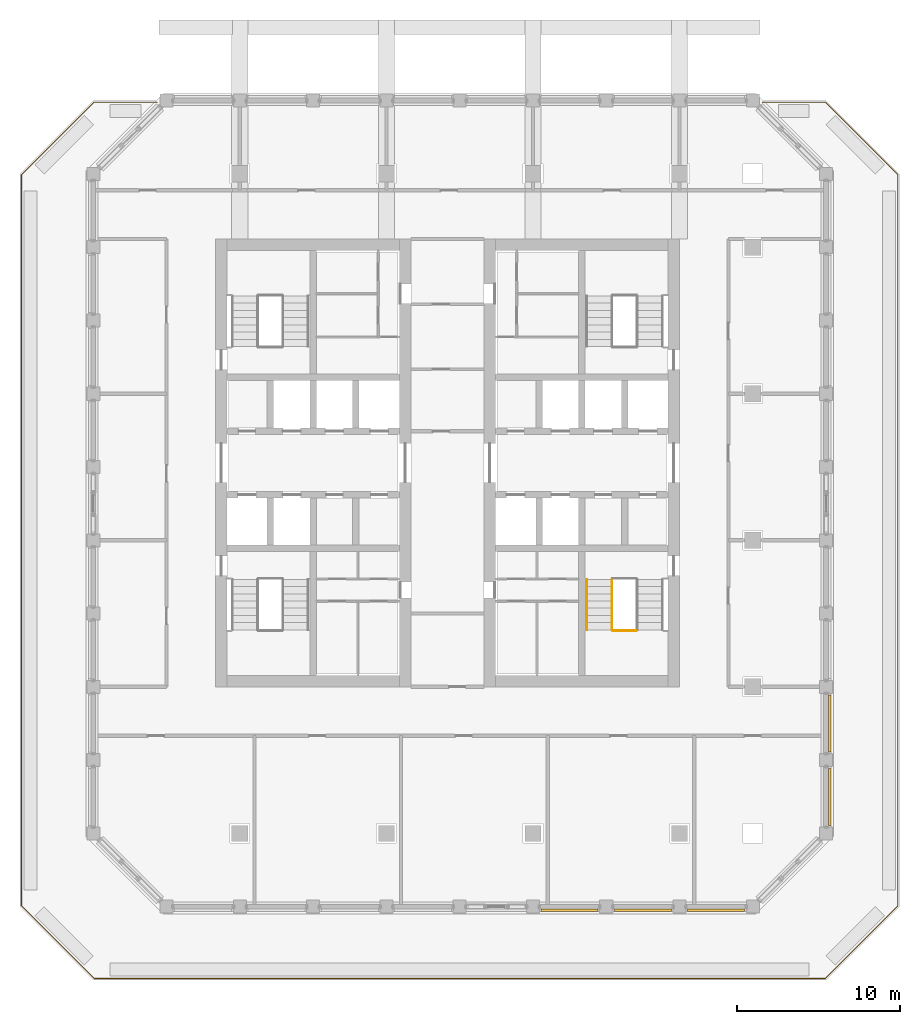
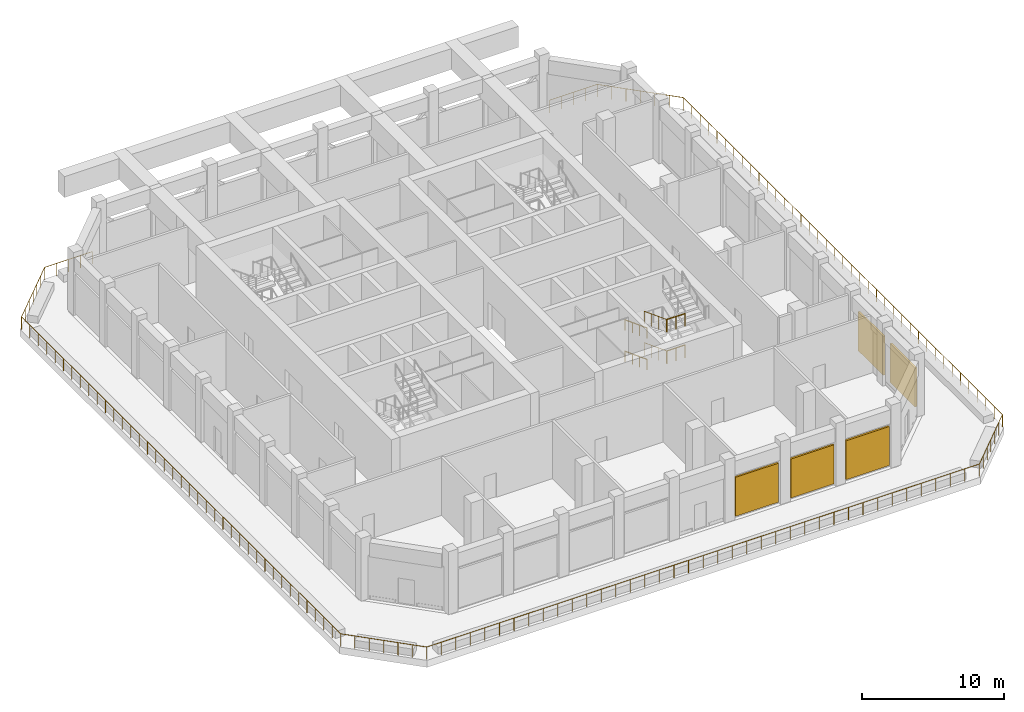
# One storey, part 15 of 19: 7 railings, 5 shading devices.
"""IFC4 building model written with IfcOpenShell, lengths in metres."""

from ifc_helpers import new_model, si_unit, direction, frame, origin, origin_2d, place, context, subcontext, project, spatial, rectangle, circle, extrude, material, layer, layer_set, type_object, element, save


model = new_model("IFC4")

# Units and contexts
model_context = context("Model", 3, precision=1e-05, world=origin(), true_north=direction((0.0, 1.0)))
body_context = subcontext(model_context, "Body", "Model", "MODEL_VIEW")
ifc_project = project(units=[si_unit("LENGTHUNIT", "METRE"), si_unit("AREAUNIT", "SQUARE_METRE"), si_unit("VOLUMEUNIT", "CUBIC_METRE"), si_unit("PLANEANGLEUNIT", "RADIAN"), si_unit("MASSUNIT", "GRAM", prefix="KILO")], contexts=[model_context])

# Site, building, storey
site_placement = place(None, origin())
site = spatial("IfcSite", under=ifc_project, at=site_placement, CompositionType="ELEMENT")
building_placement = place(site_placement, origin())
building = spatial("IfcBuilding", under=site, at=building_placement, Name="Corbel Stack Research Tower", CompositionType="ELEMENT")
storey_placement = place(building_placement, frame((0.0, 0.0, 226.199951171875)))
storey = spatial("IfcBuildingStorey", under=building, at=storey_placement, Name="L51", CompositionType="ELEMENT", Elevation=226.199951171875)

# Shading devices
ifc_material_1 = material(Name="Aluminium louvre", Category="aluminium")
ifc_layer = layer(ifc_material_1, 0.14990234375)
ifc_layer_set = layer_set([ifc_layer], Name="Aluminium louvre")
shading_device_type = type_object("IfcShadingDeviceType", Name="Plant louvre 150", PredefinedType="USERDEFINED", material=ifc_layer_set)
for number, where, z_axis, x_axis, name in (
    (1, (11.25, -22.72509765625, 0.199951171875), (0.0, 0.0, 1.0), (1.0, 0.0, 0.0), "Plant louvre L51 S06"),
    (2, (15.75, -22.72509765625, 0.199951171875), (0.0, 0.0, 1.0), (1.0, 0.0, 0.0), "Plant louvre L51 S07"),
    (3, (20.25, -22.72509765625, 0.199951171875), (0.0, 0.0, 1.0), (1.0, 0.0, 0.0), "Plant louvre L51 S08"),
    (4, (27.22509765625, -15.75, 0.199951171875), (0.0, 0.0, 1.0), (0.0, 1.0, 0.0), "Plant louvre L51 E01"),
    (5, (27.22509765625, -11.25, 0.199951171875), (0.0, 0.0, 1.0), (0.0, 1.0, 0.0), "Plant louvre L51 E02"),
):
    element("IfcShadingDevice", number, at=place(storey_placement, frame(where, z_axis=z_axis, x_axis=x_axis)), inside=storey, type_object=shading_device_type, Name=name, ObjectType="LOUVRE", PredefinedType="USERDEFINED", context=body_context, shape_type="SweptSolid", body=[
        extrude(rectangle(XDim=3.5, YDim=0.14990234375, at=origin_2d()), origin(), (0.0, 0.0, 1.0), 3.35009765625),
    ])

# Railings
ifc_material_2 = material(Name="Steel S355", Category="steel")
railing_type_1 = type_object("IfcRailingType", Name="Stair guard 1100", PredefinedType="GUARDRAIL", material=ifc_material_2)
railing_1_placement = place(storey_placement, frame((13.85009765625, -2.39990234375, 0.168701171875)))
element("IfcRailing", 6, at=railing_1_placement, inside=storey, type_object=railing_type_1, Name="L51 ST-E1 stair guard 1", PredefinedType="GUARDRAIL", context=body_context, shape_type="SweptSolid", body=[
    extrude(circle(Radius=0.02392578125, at=origin_2d()), frame((0.0, 0.0, 1.076171875), z_axis=(0.0, -0.934484238495, 0.356004505596), x_axis=(1.0, 0.0, 0.0)), (0.0, 0.0, 1.0), 3.318603515625),
    extrude(circle(Radius=0.02099609375, at=origin_2d()), origin(), (0.0, 0.0, 1.0), 1.052001953125),
    extrude(circle(Radius=0.02099609375, at=origin_2d()), frame((0.0, -1.03369140625, 0.393798828125)), (0.0, 0.0, 1.0), 1.052001953125),
    extrude(circle(Radius=0.02099609375, at=origin_2d()), frame((0.0, -2.0673828125, 0.78759765625)), (0.0, 0.0, 1.0), 1.052001953125),
    extrude(circle(Radius=0.02099609375, at=origin_2d()), frame((0.0, -3.10107421875, 1.181396484375)), (0.0, 0.0, 1.0), 1.052001953125),
])
railing_2_placement = place(storey_placement, frame((13.89990234375, -5.551025390625, 1.35009765625)))
element("IfcRailing", 7, at=railing_2_placement, inside=storey, type_object=railing_type_1, Name="L51 ST-E1 stair guard 2", PredefinedType="GUARDRAIL", context=body_context, shape_type="SweptSolid", body=[
    extrude(circle(Radius=0.02392578125, at=origin_2d()), frame((0.0, 0.0, 1.076171875), z_axis=(1.0, 0.0, 0.0), x_axis=(0.0, 1.0, 0.0)), (0.0, 0.0, 1.0), 1.4501953125),
    extrude(circle(Radius=0.02099609375, at=origin_2d()), origin(), (0.0, 0.0, 1.0), 1.052001953125),
    extrude(circle(Radius=0.02099609375, at=origin_2d()), frame((0.72509765625, 0.0, 0.0)), (0.0, 0.0, 1.0), 1.052001953125),
    extrude(circle(Radius=0.02099609375, at=origin_2d()), frame((1.4501953125, 0.0, 0.0)), (0.0, 0.0, 1.0), 1.052001953125),
])
railing_3_placement = place(storey_placement, frame((13.85009765625, -2.39990234375, 2.868896484375)))
element("IfcRailing", 8, at=railing_3_placement, inside=storey, type_object=railing_type_1, Name="L51 ST-E1 stair guard 7", PredefinedType="GUARDRAIL", context=body_context, shape_type="SweptSolid", body=[
    extrude(circle(Radius=0.02392578125, at=origin_2d()), frame((0.0, 0.0, 1.076171875), z_axis=(0.0, -0.934508712189, 0.355940257406), x_axis=(1.0, 0.0, 0.0)), (0.0, 0.0, 1.0), 3.318359375),
    extrude(circle(Radius=0.02099609375, at=origin_2d()), origin(), (0.0, 0.0, 1.0), 1.052001953125),
    extrude(circle(Radius=0.02099609375, at=origin_2d()), frame((0.0, -1.03369140625, 0.393798828125)), (0.0, 0.0, 1.0), 1.052001953125),
    extrude(circle(Radius=0.02099609375, at=origin_2d()), frame((0.0, -2.0673828125, 0.787353515625)), (0.0, 0.0, 1.0), 1.052001953125),
    extrude(circle(Radius=0.02099609375, at=origin_2d()), frame((0.0, -3.10107421875, 1.18115234375)), (0.0, 0.0, 1.0), 1.052001953125),
])
railing_4_placement = place(storey_placement, frame((13.89990234375, -5.551025390625, 4.050048828125)))
element("IfcRailing", 9, at=railing_4_placement, inside=storey, type_object=railing_type_1, Name="L51 ST-E1 stair guard 8", PredefinedType="GUARDRAIL", context=body_context, shape_type="SweptSolid", body=[
    extrude(circle(Radius=0.02392578125, at=origin_2d()), frame((0.0, 0.0, 1.076171875), z_axis=(1.0, 0.0, 0.0), x_axis=(0.0, 1.0, 0.0)), (0.0, 0.0, 1.0), 1.4501953125),
    extrude(circle(Radius=0.02099609375, at=origin_2d()), origin(), (0.0, 0.0, 1.0), 1.052001953125),
    extrude(circle(Radius=0.02099609375, at=origin_2d()), frame((0.72509765625, 0.0, 0.0)), (0.0, 0.0, 1.0), 1.052001953125),
    extrude(circle(Radius=0.02099609375, at=origin_2d()), frame((1.4501953125, 0.0, 0.0)), (0.0, 0.0, 1.0), 1.052001953125),
])
ifc_material_3 = material(Name="Steel S355", Category="steel")
railing_type_2 = type_object("IfcRailingType", Name="Stair handrail 900", PredefinedType="HANDRAIL", material=ifc_material_3)
railing_5_placement = place(storey_placement, frame((12.300048828125, -2.39990234375, 0.168701171875)))
element("IfcRailing", 10, at=railing_5_placement, inside=storey, type_object=railing_type_2, Name="L51 ST-E1 stair handrail 1", PredefinedType="HANDRAIL", context=body_context, shape_type="SweptSolid", body=[
    extrude(circle(Radius=0.02392578125, at=origin_2d()), frame((0.0, 0.0, 0.8759765625), z_axis=(0.0, -0.934484238495, 0.356004505596), x_axis=(1.0, 0.0, 0.0)), (0.0, 0.0, 1.0), 3.318603515625),
    extrude(circle(Radius=0.02099609375, at=origin_2d()), origin(), (0.0, 0.0, 1.0), 0.851806640625),
    extrude(circle(Radius=0.02099609375, at=origin_2d()), frame((0.0, -1.03369140625, 0.393798828125)), (0.0, 0.0, 1.0), 0.851806640625),
    extrude(circle(Radius=0.02099609375, at=origin_2d()), frame((0.0, -2.0673828125, 0.78759765625)), (0.0, 0.0, 1.0), 0.851806640625),
    extrude(circle(Radius=0.02099609375, at=origin_2d()), frame((0.0, -3.10107421875, 1.181396484375)), (0.0, 0.0, 1.0), 0.851806640625),
])
railing_6_placement = place(storey_placement, frame((12.300048828125, -2.39990234375, 2.868896484375)))
element("IfcRailing", 11, at=railing_6_placement, inside=storey, type_object=railing_type_2, Name="L51 ST-E1 stair handrail 3", PredefinedType="HANDRAIL", context=body_context, shape_type="SweptSolid", body=[
    extrude(circle(Radius=0.02392578125, at=origin_2d()), frame((0.0, 0.0, 0.8759765625), z_axis=(0.0, -0.934508712189, 0.355940257406), x_axis=(1.0, 0.0, 0.0)), (0.0, 0.0, 1.0), 3.318359375),
    extrude(circle(Radius=0.02099609375, at=origin_2d()), origin(), (0.0, 0.0, 1.0), 0.851806640625),
    extrude(circle(Radius=0.02099609375, at=origin_2d()), frame((0.0, -1.03369140625, 0.393798828125)), (0.0, 0.0, 1.0), 0.851806640625),
    extrude(circle(Radius=0.02099609375, at=origin_2d()), frame((0.0, -2.0673828125, 0.787353515625)), (0.0, 0.0, 1.0), 0.851806640625),
    extrude(circle(Radius=0.02099609375, at=origin_2d()), frame((0.0, -3.10107421875, 1.18115234375)), (0.0, 0.0, 1.0), 0.851806640625),
])
ifc_material_4 = material(Name="Powder-coated steel guard", Category="steel")
railing_type_3 = type_object("IfcRailingType", Name="Steel and glass guard 1100", PredefinedType="GUARDRAIL", material=ifc_material_4)
railing_7_placement = place(storey_placement, frame((23.07421875, 26.89990234375, 0.0)))
element("IfcRailing", 12, at=railing_7_placement, inside=storey, type_object=railing_type_3, Name="Terrace guard L51", PredefinedType="GUARDRAIL", context=body_context, shape_type="SweptSolid", body=[
    extrude(circle(Radius=0.02392578125, at=origin_2d()), frame((0.0, 0.0, 1.076171875), z_axis=(1.0, 0.0, 0.0), x_axis=(0.0, 1.0, 0.0)), (0.0, 0.0, 1.0), 3.88427734375),
    extrude(circle(Radius=0.02392578125, at=origin_2d()), frame((3.88427734375, 0.0, 1.076171875), z_axis=(0.707106781187, -0.707106781187, 0.0), x_axis=(0.707106781187, 0.707106781187, 0.0)), (0.0, 0.0, 1.0), 6.281005859375),
    extrude(circle(Radius=0.02392578125, at=origin_2d()), frame((8.32568359375, -4.44140625, 1.076171875), z_axis=(0.0, -1.0, 0.0), x_axis=(1.0, 0.0, 0.0)), (0.0, 0.0, 1.0), 44.9169921875),
    extrude(circle(Radius=0.02392578125, at=origin_2d()), frame((8.32568359375, -49.3583984375, 1.076171875), z_axis=(-0.707106781187, -0.707106781187, 0.0), x_axis=(0.707106781187, -0.707106781187, 0.0)), (0.0, 0.0, 1.0), 6.281005859375),
    extrude(circle(Radius=0.02392578125, at=origin_2d()), frame((3.88427734375, -53.7998046875, 1.076171875), z_axis=(-1.0, 0.0, 0.0), x_axis=(0.0, -1.0, 0.0)), (0.0, 0.0, 1.0), 44.9169921875),
    extrude(circle(Radius=0.02392578125, at=origin_2d()), frame((-41.03271484375, -53.7998046875, 1.076171875), z_axis=(-0.707106781187, 0.707106781187, 0.0), x_axis=(-0.707106781187, -0.707106781187, 0.0)), (0.0, 0.0, 1.0), 6.281005859375),
    extrude(circle(Radius=0.02392578125, at=origin_2d()), frame((-45.47412109375, -49.3583984375, 1.076171875), z_axis=(0.0, 1.0, 0.0), x_axis=(-1.0, 0.0, 0.0)), (0.0, 0.0, 1.0), 44.9169921875),
    extrude(circle(Radius=0.02392578125, at=origin_2d()), frame((-45.47412109375, -4.44140625, 1.076171875), z_axis=(0.707106781187, 0.707106781187, 0.0), x_axis=(-0.707106781187, 0.707106781187, 0.0)), (0.0, 0.0, 1.0), 6.281005859375),
    extrude(circle(Radius=0.02392578125, at=origin_2d()), frame((-41.03271484375, 0.0, 1.076171875), z_axis=(1.0, 0.0, 0.0), x_axis=(0.0, 1.0, 0.0)), (0.0, 0.0, 1.0), 3.88427734375),
    extrude(circle(Radius=0.02099609375, at=origin_2d()), origin(), (0.0, 0.0, 1.0), 1.052001953125),
    extrude(circle(Radius=0.02099609375, at=origin_2d()), frame((0.97119140625, 0.0, 0.0)), (0.0, 0.0, 1.0), 1.052001953125),
    extrude(circle(Radius=0.02099609375, at=origin_2d()), frame((1.942138671875, 0.0, 0.0)), (0.0, 0.0, 1.0), 1.052001953125),
    extrude(circle(Radius=0.02099609375, at=origin_2d()), frame((2.9130859375, 0.0, 0.0)), (0.0, 0.0, 1.0), 1.052001953125),
    extrude(circle(Radius=0.02099609375, at=origin_2d()), frame((3.88427734375, 0.0, 0.0)), (0.0, 0.0, 1.0), 1.052001953125),
    extrude(circle(Radius=0.02099609375, at=origin_2d()), frame((4.62451171875, -0.740234375, 0.0)), (0.0, 0.0, 1.0), 1.052001953125),
    extrude(circle(Radius=0.02099609375, at=origin_2d()), frame((5.36474609375, -1.48046875, 0.0)), (0.0, 0.0, 1.0), 1.052001953125),
    extrude(circle(Radius=0.02099609375, at=origin_2d()), frame((6.10498046875, -2.220703125, 0.0)), (0.0, 0.0, 1.0), 1.052001953125),
    extrude(circle(Radius=0.02099609375, at=origin_2d()), frame((6.84521484375, -2.9609375, 0.0)), (0.0, 0.0, 1.0), 1.052001953125),
    extrude(circle(Radius=0.02099609375, at=origin_2d()), frame((7.58544921875, -3.701171875, 0.0)), (0.0, 0.0, 1.0), 1.052001953125),
    extrude(circle(Radius=0.02099609375, at=origin_2d()), frame((8.32568359375, -4.44140625, 0.0)), (0.0, 0.0, 1.0), 1.052001953125),
    extrude(circle(Radius=0.02099609375, at=origin_2d()), frame((8.32568359375, -5.62353515625, 0.0)), (0.0, 0.0, 1.0), 1.052001953125),
    extrude(circle(Radius=0.02099609375, at=origin_2d()), frame((8.32568359375, -6.805419921875, 0.0)), (0.0, 0.0, 1.0), 1.052001953125),
    extrude(circle(Radius=0.02099609375, at=origin_2d()), frame((8.32568359375, -7.987548828125, 0.0)), (0.0, 0.0, 1.0), 1.052001953125),
    extrude(circle(Radius=0.02099609375, at=origin_2d()), frame((8.32568359375, -9.16943359375, 0.0)), (0.0, 0.0, 1.0), 1.052001953125),
    extrude(circle(Radius=0.02099609375, at=origin_2d()), frame((8.32568359375, -10.3515625, 0.0)), (0.0, 0.0, 1.0), 1.052001953125),
    extrude(circle(Radius=0.02099609375, at=origin_2d()), frame((8.32568359375, -11.533447265625, 0.0)), (0.0, 0.0, 1.0), 1.052001953125),
    extrude(circle(Radius=0.02099609375, at=origin_2d()), frame((8.32568359375, -12.715576171875, 0.0)), (0.0, 0.0, 1.0), 1.052001953125),
    extrude(circle(Radius=0.02099609375, at=origin_2d()), frame((8.32568359375, -13.897705078125, 0.0)), (0.0, 0.0, 1.0), 1.052001953125),
    extrude(circle(Radius=0.02099609375, at=origin_2d()), frame((8.32568359375, -15.07958984375, 0.0)), (0.0, 0.0, 1.0), 1.052001953125),
    extrude(circle(Radius=0.02099609375, at=origin_2d()), frame((8.32568359375, -16.26171875, 0.0)), (0.0, 0.0, 1.0), 1.052001953125),
    extrude(circle(Radius=0.02099609375, at=origin_2d()), frame((8.32568359375, -17.443603515625, 0.0)), (0.0, 0.0, 1.0), 1.052001953125),
    extrude(circle(Radius=0.02099609375, at=origin_2d()), frame((8.32568359375, -18.625732421875, 0.0)), (0.0, 0.0, 1.0), 1.052001953125),
    extrude(circle(Radius=0.02099609375, at=origin_2d()), frame((8.32568359375, -19.807861328125, 0.0)), (0.0, 0.0, 1.0), 1.052001953125),
    extrude(circle(Radius=0.02099609375, at=origin_2d()), frame((8.32568359375, -20.98974609375, 0.0)), (0.0, 0.0, 1.0), 1.052001953125),
    extrude(circle(Radius=0.02099609375, at=origin_2d()), frame((8.32568359375, -22.171875, 0.0)), (0.0, 0.0, 1.0), 1.052001953125),
    extrude(circle(Radius=0.02099609375, at=origin_2d()), frame((8.32568359375, -23.353759765625, 0.0)), (0.0, 0.0, 1.0), 1.052001953125),
    extrude(circle(Radius=0.02099609375, at=origin_2d()), frame((8.32568359375, -24.535888671875, 0.0)), (0.0, 0.0, 1.0), 1.052001953125),
    extrude(circle(Radius=0.02099609375, at=origin_2d()), frame((8.32568359375, -25.7177734375, 0.0)), (0.0, 0.0, 1.0), 1.052001953125),
    extrude(circle(Radius=0.02099609375, at=origin_2d()), frame((8.32568359375, -26.89990234375, 0.0)), (0.0, 0.0, 1.0), 1.052001953125),
    extrude(circle(Radius=0.02099609375, at=origin_2d()), frame((8.32568359375, -28.08203125, 0.0)), (0.0, 0.0, 1.0), 1.052001953125),
    extrude(circle(Radius=0.02099609375, at=origin_2d()), frame((8.32568359375, -29.263916015625, 0.0)), (0.0, 0.0, 1.0), 1.052001953125),
    extrude(circle(Radius=0.02099609375, at=origin_2d()), frame((8.32568359375, -30.446044921875, 0.0)), (0.0, 0.0, 1.0), 1.052001953125),
    extrude(circle(Radius=0.02099609375, at=origin_2d()), frame((8.32568359375, -31.6279296875, 0.0)), (0.0, 0.0, 1.0), 1.052001953125),
    extrude(circle(Radius=0.02099609375, at=origin_2d()), frame((8.32568359375, -32.81005859375, 0.0)), (0.0, 0.0, 1.0), 1.052001953125),
    extrude(circle(Radius=0.02099609375, at=origin_2d()), frame((8.32568359375, -33.991943359375, 0.0)), (0.0, 0.0, 1.0), 1.052001953125),
    extrude(circle(Radius=0.02099609375, at=origin_2d()), frame((8.32568359375, -35.174072265625, 0.0)), (0.0, 0.0, 1.0), 1.052001953125),
    extrude(circle(Radius=0.02099609375, at=origin_2d()), frame((8.32568359375, -36.356201171875, 0.0)), (0.0, 0.0, 1.0), 1.052001953125),
    extrude(circle(Radius=0.02099609375, at=origin_2d()), frame((8.32568359375, -37.5380859375, 0.0)), (0.0, 0.0, 1.0), 1.052001953125),
    extrude(circle(Radius=0.02099609375, at=origin_2d()), frame((8.32568359375, -38.72021484375, 0.0)), (0.0, 0.0, 1.0), 1.052001953125),
    extrude(circle(Radius=0.02099609375, at=origin_2d()), frame((8.32568359375, -39.902099609375, 0.0)), (0.0, 0.0, 1.0), 1.052001953125),
    extrude(circle(Radius=0.02099609375, at=origin_2d()), frame((8.32568359375, -41.084228515625, 0.0)), (0.0, 0.0, 1.0), 1.052001953125),
    extrude(circle(Radius=0.02099609375, at=origin_2d()), frame((8.32568359375, -42.266357421875, 0.0)), (0.0, 0.0, 1.0), 1.052001953125),
    extrude(circle(Radius=0.02099609375, at=origin_2d()), frame((8.32568359375, -43.4482421875, 0.0)), (0.0, 0.0, 1.0), 1.052001953125),
    extrude(circle(Radius=0.02099609375, at=origin_2d()), frame((8.32568359375, -44.63037109375, 0.0)), (0.0, 0.0, 1.0), 1.052001953125),
    extrude(circle(Radius=0.02099609375, at=origin_2d()), frame((8.32568359375, -45.812255859375, 0.0)), (0.0, 0.0, 1.0), 1.052001953125),
    extrude(circle(Radius=0.02099609375, at=origin_2d()), frame((8.32568359375, -46.994384765625, 0.0)), (0.0, 0.0, 1.0), 1.052001953125),
    extrude(circle(Radius=0.02099609375, at=origin_2d()), frame((8.32568359375, -48.17626953125, 0.0)), (0.0, 0.0, 1.0), 1.052001953125),
    extrude(circle(Radius=0.02099609375, at=origin_2d()), frame((8.32568359375, -49.3583984375, 0.0)), (0.0, 0.0, 1.0), 1.052001953125),
    extrude(circle(Radius=0.02099609375, at=origin_2d()), frame((7.58544921875, -50.0986328125, 0.0)), (0.0, 0.0, 1.0), 1.052001953125),
    extrude(circle(Radius=0.02099609375, at=origin_2d()), frame((6.84521484375, -50.8388671875, 0.0)), (0.0, 0.0, 1.0), 1.052001953125),
    extrude(circle(Radius=0.02099609375, at=origin_2d()), frame((6.10498046875, -51.5791015625, 0.0)), (0.0, 0.0, 1.0), 1.052001953125),
    extrude(circle(Radius=0.02099609375, at=origin_2d()), frame((5.36474609375, -52.3193359375, 0.0)), (0.0, 0.0, 1.0), 1.052001953125),
    extrude(circle(Radius=0.02099609375, at=origin_2d()), frame((4.62451171875, -53.0595703125, 0.0)), (0.0, 0.0, 1.0), 1.052001953125),
    extrude(circle(Radius=0.02099609375, at=origin_2d()), frame((3.88427734375, -53.7998046875, 0.0)), (0.0, 0.0, 1.0), 1.052001953125),
    extrude(circle(Radius=0.02099609375, at=origin_2d()), frame((2.7021484375, -53.7998046875, 0.0)), (0.0, 0.0, 1.0), 1.052001953125),
    extrude(circle(Radius=0.02099609375, at=origin_2d()), frame((1.520263671875, -53.7998046875, 0.0)), (0.0, 0.0, 1.0), 1.052001953125),
    extrude(circle(Radius=0.02099609375, at=origin_2d()), frame((0.338134765625, -53.7998046875, 0.0)), (0.0, 0.0, 1.0), 1.052001953125),
    extrude(circle(Radius=0.02099609375, at=origin_2d()), frame((-0.84375, -53.7998046875, 0.0)), (0.0, 0.0, 1.0), 1.052001953125),
    extrude(circle(Radius=0.02099609375, at=origin_2d()), frame((-2.02587890625, -53.7998046875, 0.0)), (0.0, 0.0, 1.0), 1.052001953125),
    extrude(circle(Radius=0.02099609375, at=origin_2d()), frame((-3.207763671875, -53.7998046875, 0.0)), (0.0, 0.0, 1.0), 1.052001953125),
    extrude(circle(Radius=0.02099609375, at=origin_2d()), frame((-4.389892578125, -53.7998046875, 0.0)), (0.0, 0.0, 1.0), 1.052001953125),
    extrude(circle(Radius=0.02099609375, at=origin_2d()), frame((-5.572021484375, -53.7998046875, 0.0)), (0.0, 0.0, 1.0), 1.052001953125),
    extrude(circle(Radius=0.02099609375, at=origin_2d()), frame((-6.75390625, -53.7998046875, 0.0)), (0.0, 0.0, 1.0), 1.052001953125),
    extrude(circle(Radius=0.02099609375, at=origin_2d()), frame((-7.93603515625, -53.7998046875, 0.0)), (0.0, 0.0, 1.0), 1.052001953125),
    extrude(circle(Radius=0.02099609375, at=origin_2d()), frame((-9.117919921875, -53.7998046875, 0.0)), (0.0, 0.0, 1.0), 1.052001953125),
    extrude(circle(Radius=0.02099609375, at=origin_2d()), frame((-10.300048828125, -53.7998046875, 0.0)), (0.0, 0.0, 1.0), 1.052001953125),
    extrude(circle(Radius=0.02099609375, at=origin_2d()), frame((-11.482177734375, -53.7998046875, 0.0)), (0.0, 0.0, 1.0), 1.052001953125),
    extrude(circle(Radius=0.02099609375, at=origin_2d()), frame((-12.6640625, -53.7998046875, 0.0)), (0.0, 0.0, 1.0), 1.052001953125),
    extrude(circle(Radius=0.02099609375, at=origin_2d()), frame((-13.84619140625, -53.7998046875, 0.0)), (0.0, 0.0, 1.0), 1.052001953125),
    extrude(circle(Radius=0.02099609375, at=origin_2d()), frame((-15.028076171875, -53.7998046875, 0.0)), (0.0, 0.0, 1.0), 1.052001953125),
    extrude(circle(Radius=0.02099609375, at=origin_2d()), frame((-16.210205078125, -53.7998046875, 0.0)), (0.0, 0.0, 1.0), 1.052001953125),
    extrude(circle(Radius=0.02099609375, at=origin_2d()), frame((-17.39208984375, -53.7998046875, 0.0)), (0.0, 0.0, 1.0), 1.052001953125),
    extrude(circle(Radius=0.02099609375, at=origin_2d()), frame((-18.57421875, -53.7998046875, 0.0)), (0.0, 0.0, 1.0), 1.052001953125),
    extrude(circle(Radius=0.02099609375, at=origin_2d()), frame((-19.75634765625, -53.7998046875, 0.0)), (0.0, 0.0, 1.0), 1.052001953125),
    extrude(circle(Radius=0.02099609375, at=origin_2d()), frame((-20.938232421875, -53.7998046875, 0.0)), (0.0, 0.0, 1.0), 1.052001953125),
    extrude(circle(Radius=0.02099609375, at=origin_2d()), frame((-22.120361328125, -53.7998046875, 0.0)), (0.0, 0.0, 1.0), 1.052001953125),
    extrude(circle(Radius=0.02099609375, at=origin_2d()), frame((-23.30224609375, -53.7998046875, 0.0)), (0.0, 0.0, 1.0), 1.052001953125),
    extrude(circle(Radius=0.02099609375, at=origin_2d()), frame((-24.484375, -53.7998046875, 0.0)), (0.0, 0.0, 1.0), 1.052001953125),
    extrude(circle(Radius=0.02099609375, at=origin_2d()), frame((-25.666259765625, -53.7998046875, 0.0)), (0.0, 0.0, 1.0), 1.052001953125),
    extrude(circle(Radius=0.02099609375, at=origin_2d()), frame((-26.848388671875, -53.7998046875, 0.0)), (0.0, 0.0, 1.0), 1.052001953125),
    extrude(circle(Radius=0.02099609375, at=origin_2d()), frame((-28.030517578125, -53.7998046875, 0.0)), (0.0, 0.0, 1.0), 1.052001953125),
    extrude(circle(Radius=0.02099609375, at=origin_2d()), frame((-29.21240234375, -53.7998046875, 0.0)), (0.0, 0.0, 1.0), 1.052001953125),
    extrude(circle(Radius=0.02099609375, at=origin_2d()), frame((-30.39453125, -53.7998046875, 0.0)), (0.0, 0.0, 1.0), 1.052001953125),
    extrude(circle(Radius=0.02099609375, at=origin_2d()), frame((-31.576416015625, -53.7998046875, 0.0)), (0.0, 0.0, 1.0), 1.052001953125),
    extrude(circle(Radius=0.02099609375, at=origin_2d()), frame((-32.758544921875, -53.7998046875, 0.0)), (0.0, 0.0, 1.0), 1.052001953125),
    extrude(circle(Radius=0.02099609375, at=origin_2d()), frame((-33.940673828125, -53.7998046875, 0.0)), (0.0, 0.0, 1.0), 1.052001953125),
    extrude(circle(Radius=0.02099609375, at=origin_2d()), frame((-35.12255859375, -53.7998046875, 0.0)), (0.0, 0.0, 1.0), 1.052001953125),
    extrude(circle(Radius=0.02099609375, at=origin_2d()), frame((-36.3046875, -53.7998046875, 0.0)), (0.0, 0.0, 1.0), 1.052001953125),
    extrude(circle(Radius=0.02099609375, at=origin_2d()), frame((-37.486572265625, -53.7998046875, 0.0)), (0.0, 0.0, 1.0), 1.052001953125),
    extrude(circle(Radius=0.02099609375, at=origin_2d()), frame((-38.668701171875, -53.7998046875, 0.0)), (0.0, 0.0, 1.0), 1.052001953125),
    extrude(circle(Radius=0.02099609375, at=origin_2d()), frame((-39.8505859375, -53.7998046875, 0.0)), (0.0, 0.0, 1.0), 1.052001953125),
    extrude(circle(Radius=0.02099609375, at=origin_2d()), frame((-41.03271484375, -53.7998046875, 0.0)), (0.0, 0.0, 1.0), 1.052001953125),
    extrude(circle(Radius=0.02099609375, at=origin_2d()), frame((-41.77294921875, -53.0595703125, 0.0)), (0.0, 0.0, 1.0), 1.052001953125),
    extrude(circle(Radius=0.02099609375, at=origin_2d()), frame((-42.51318359375, -52.3193359375, 0.0)), (0.0, 0.0, 1.0), 1.052001953125),
    extrude(circle(Radius=0.02099609375, at=origin_2d()), frame((-43.25341796875, -51.5791015625, 0.0)), (0.0, 0.0, 1.0), 1.052001953125),
    extrude(circle(Radius=0.02099609375, at=origin_2d()), frame((-43.99365234375, -50.8388671875, 0.0)), (0.0, 0.0, 1.0), 1.052001953125),
    extrude(circle(Radius=0.02099609375, at=origin_2d()), frame((-44.73388671875, -50.0986328125, 0.0)), (0.0, 0.0, 1.0), 1.052001953125),
    extrude(circle(Radius=0.02099609375, at=origin_2d()), frame((-45.47412109375, -49.3583984375, 0.0)), (0.0, 0.0, 1.0), 1.052001953125),
    extrude(circle(Radius=0.02099609375, at=origin_2d()), frame((-45.47412109375, -48.17626953125, 0.0)), (0.0, 0.0, 1.0), 1.052001953125),
    extrude(circle(Radius=0.02099609375, at=origin_2d()), frame((-45.47412109375, -46.994384765625, 0.0)), (0.0, 0.0, 1.0), 1.052001953125),
    extrude(circle(Radius=0.02099609375, at=origin_2d()), frame((-45.47412109375, -45.812255859375, 0.0)), (0.0, 0.0, 1.0), 1.052001953125),
    extrude(circle(Radius=0.02099609375, at=origin_2d()), frame((-45.47412109375, -44.63037109375, 0.0)), (0.0, 0.0, 1.0), 1.052001953125),
    extrude(circle(Radius=0.02099609375, at=origin_2d()), frame((-45.47412109375, -43.4482421875, 0.0)), (0.0, 0.0, 1.0), 1.052001953125),
    extrude(circle(Radius=0.02099609375, at=origin_2d()), frame((-45.47412109375, -42.266357421875, 0.0)), (0.0, 0.0, 1.0), 1.052001953125),
    extrude(circle(Radius=0.02099609375, at=origin_2d()), frame((-45.47412109375, -41.084228515625, 0.0)), (0.0, 0.0, 1.0), 1.052001953125),
    extrude(circle(Radius=0.02099609375, at=origin_2d()), frame((-45.47412109375, -39.902099609375, 0.0)), (0.0, 0.0, 1.0), 1.052001953125),
    extrude(circle(Radius=0.02099609375, at=origin_2d()), frame((-45.47412109375, -38.72021484375, 0.0)), (0.0, 0.0, 1.0), 1.052001953125),
    extrude(circle(Radius=0.02099609375, at=origin_2d()), frame((-45.47412109375, -37.5380859375, 0.0)), (0.0, 0.0, 1.0), 1.052001953125),
    extrude(circle(Radius=0.02099609375, at=origin_2d()), frame((-45.47412109375, -36.356201171875, 0.0)), (0.0, 0.0, 1.0), 1.052001953125),
    extrude(circle(Radius=0.02099609375, at=origin_2d()), frame((-45.47412109375, -35.174072265625, 0.0)), (0.0, 0.0, 1.0), 1.052001953125),
    extrude(circle(Radius=0.02099609375, at=origin_2d()), frame((-45.47412109375, -33.991943359375, 0.0)), (0.0, 0.0, 1.0), 1.052001953125),
    extrude(circle(Radius=0.02099609375, at=origin_2d()), frame((-45.47412109375, -32.81005859375, 0.0)), (0.0, 0.0, 1.0), 1.052001953125),
    extrude(circle(Radius=0.02099609375, at=origin_2d()), frame((-45.47412109375, -31.6279296875, 0.0)), (0.0, 0.0, 1.0), 1.052001953125),
    extrude(circle(Radius=0.02099609375, at=origin_2d()), frame((-45.47412109375, -30.446044921875, 0.0)), (0.0, 0.0, 1.0), 1.052001953125),
    extrude(circle(Radius=0.02099609375, at=origin_2d()), frame((-45.47412109375, -29.263916015625, 0.0)), (0.0, 0.0, 1.0), 1.052001953125),
    extrude(circle(Radius=0.02099609375, at=origin_2d()), frame((-45.47412109375, -28.08203125, 0.0)), (0.0, 0.0, 1.0), 1.052001953125),
    extrude(circle(Radius=0.02099609375, at=origin_2d()), frame((-45.47412109375, -26.89990234375, 0.0)), (0.0, 0.0, 1.0), 1.052001953125),
    extrude(circle(Radius=0.02099609375, at=origin_2d()), frame((-45.47412109375, -25.7177734375, 0.0)), (0.0, 0.0, 1.0), 1.052001953125),
    extrude(circle(Radius=0.02099609375, at=origin_2d()), frame((-45.47412109375, -24.535888671875, 0.0)), (0.0, 0.0, 1.0), 1.052001953125),
    extrude(circle(Radius=0.02099609375, at=origin_2d()), frame((-45.47412109375, -23.353759765625, 0.0)), (0.0, 0.0, 1.0), 1.052001953125),
    extrude(circle(Radius=0.02099609375, at=origin_2d()), frame((-45.47412109375, -22.171875, 0.0)), (0.0, 0.0, 1.0), 1.052001953125),
    extrude(circle(Radius=0.02099609375, at=origin_2d()), frame((-45.47412109375, -20.98974609375, 0.0)), (0.0, 0.0, 1.0), 1.052001953125),
    extrude(circle(Radius=0.02099609375, at=origin_2d()), frame((-45.47412109375, -19.807861328125, 0.0)), (0.0, 0.0, 1.0), 1.052001953125),
    extrude(circle(Radius=0.02099609375, at=origin_2d()), frame((-45.47412109375, -18.625732421875, 0.0)), (0.0, 0.0, 1.0), 1.052001953125),
    extrude(circle(Radius=0.02099609375, at=origin_2d()), frame((-45.47412109375, -17.443603515625, 0.0)), (0.0, 0.0, 1.0), 1.052001953125),
    extrude(circle(Radius=0.02099609375, at=origin_2d()), frame((-45.47412109375, -16.26171875, 0.0)), (0.0, 0.0, 1.0), 1.052001953125),
    extrude(circle(Radius=0.02099609375, at=origin_2d()), frame((-45.47412109375, -15.07958984375, 0.0)), (0.0, 0.0, 1.0), 1.052001953125),
    extrude(circle(Radius=0.02099609375, at=origin_2d()), frame((-45.47412109375, -13.897705078125, 0.0)), (0.0, 0.0, 1.0), 1.052001953125),
    extrude(circle(Radius=0.02099609375, at=origin_2d()), frame((-45.47412109375, -12.715576171875, 0.0)), (0.0, 0.0, 1.0), 1.052001953125),
    extrude(circle(Radius=0.02099609375, at=origin_2d()), frame((-45.47412109375, -11.533447265625, 0.0)), (0.0, 0.0, 1.0), 1.052001953125),
    extrude(circle(Radius=0.02099609375, at=origin_2d()), frame((-45.47412109375, -10.3515625, 0.0)), (0.0, 0.0, 1.0), 1.052001953125),
    extrude(circle(Radius=0.02099609375, at=origin_2d()), frame((-45.47412109375, -9.16943359375, 0.0)), (0.0, 0.0, 1.0), 1.052001953125),
    extrude(circle(Radius=0.02099609375, at=origin_2d()), frame((-45.47412109375, -7.987548828125, 0.0)), (0.0, 0.0, 1.0), 1.052001953125),
    extrude(circle(Radius=0.02099609375, at=origin_2d()), frame((-45.47412109375, -6.805419921875, 0.0)), (0.0, 0.0, 1.0), 1.052001953125),
    extrude(circle(Radius=0.02099609375, at=origin_2d()), frame((-45.47412109375, -5.62353515625, 0.0)), (0.0, 0.0, 1.0), 1.052001953125),
    extrude(circle(Radius=0.02099609375, at=origin_2d()), frame((-45.47412109375, -4.44140625, 0.0)), (0.0, 0.0, 1.0), 1.052001953125),
    extrude(circle(Radius=0.02099609375, at=origin_2d()), frame((-44.73388671875, -3.701171875, 0.0)), (0.0, 0.0, 1.0), 1.052001953125),
    extrude(circle(Radius=0.02099609375, at=origin_2d()), frame((-43.99365234375, -2.9609375, 0.0)), (0.0, 0.0, 1.0), 1.052001953125),
    extrude(circle(Radius=0.02099609375, at=origin_2d()), frame((-43.25341796875, -2.220703125, 0.0)), (0.0, 0.0, 1.0), 1.052001953125),
    extrude(circle(Radius=0.02099609375, at=origin_2d()), frame((-42.51318359375, -1.48046875, 0.0)), (0.0, 0.0, 1.0), 1.052001953125),
    extrude(circle(Radius=0.02099609375, at=origin_2d()), frame((-41.77294921875, -0.740234375, 0.0)), (0.0, 0.0, 1.0), 1.052001953125),
    extrude(circle(Radius=0.02099609375, at=origin_2d()), frame((-41.03271484375, 0.0, 0.0)), (0.0, 0.0, 1.0), 1.052001953125),
    extrude(circle(Radius=0.02099609375, at=origin_2d()), frame((-40.0615234375, 0.0, 0.0)), (0.0, 0.0, 1.0), 1.052001953125),
    extrude(circle(Radius=0.02099609375, at=origin_2d()), frame((-39.090576171875, 0.0, 0.0)), (0.0, 0.0, 1.0), 1.052001953125),
    extrude(circle(Radius=0.02099609375, at=origin_2d()), frame((-38.11962890625, 0.0, 0.0)), (0.0, 0.0, 1.0), 1.052001953125),
    extrude(circle(Radius=0.02099609375, at=origin_2d()), frame((-37.1484375, 0.0, 0.0)), (0.0, 0.0, 1.0), 1.052001953125),
])

save(model, "model.ifc")
